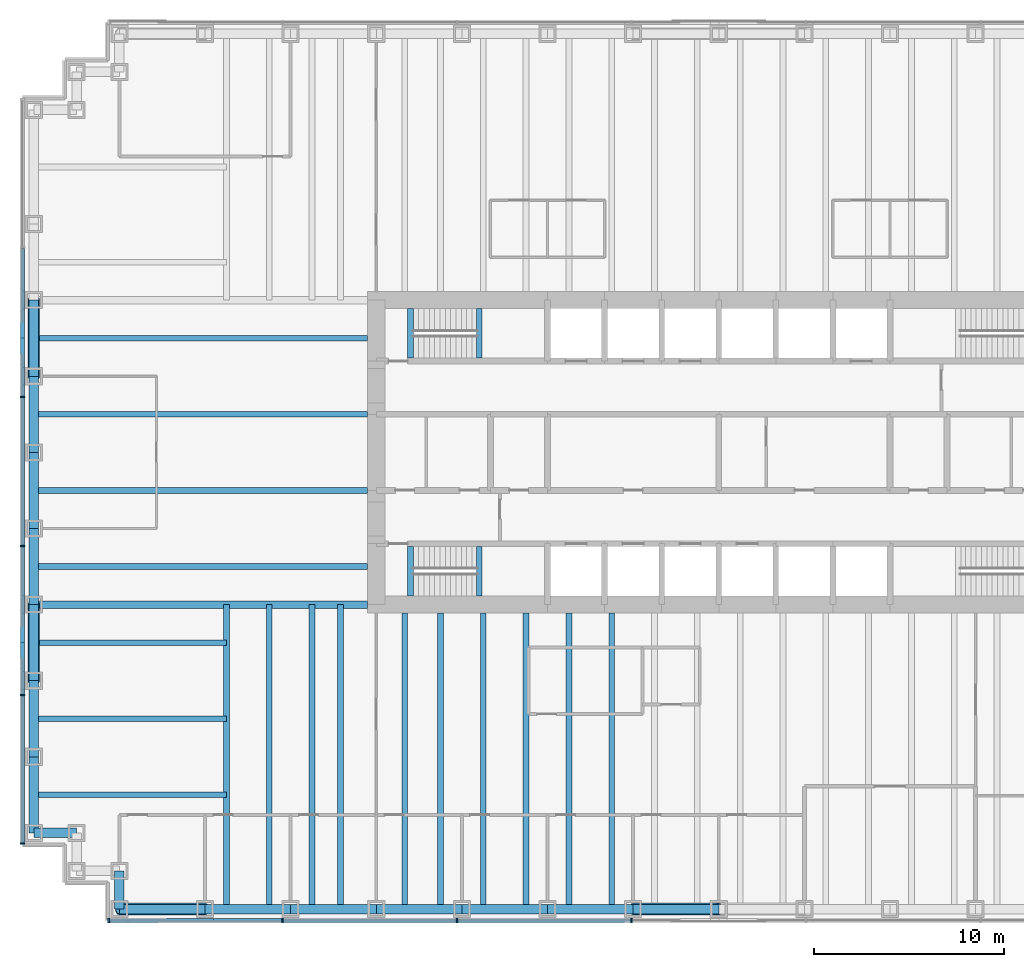
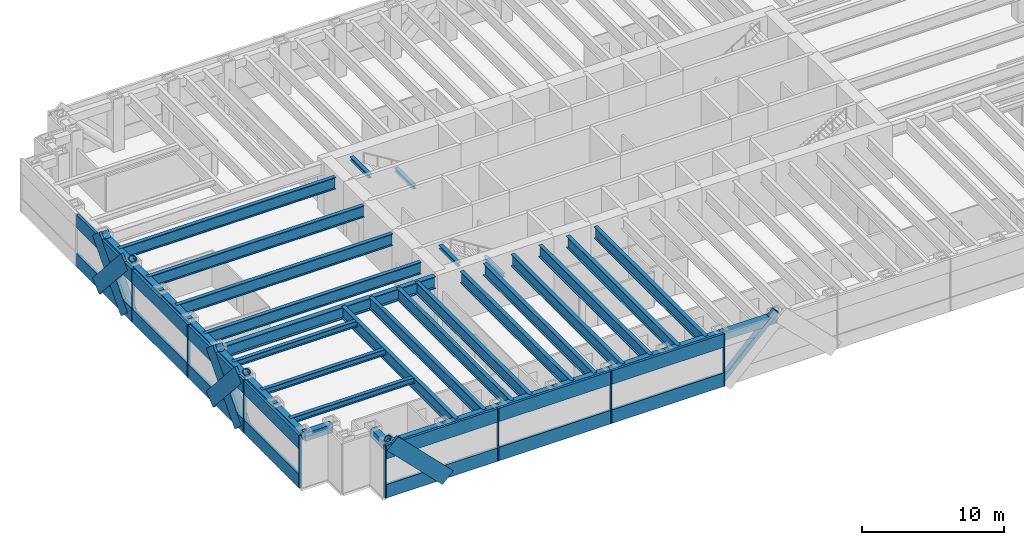
# One storey, part 2 of 13: 38 beams, 33 members, 2 elements without a shape of their own.
"""IFC4 building model written with IfcOpenShell, lengths in metres."""

from ifc_helpers import new_model, si_unit, direction, frame, origin, origin_2d, place, context, subcontext, project, spatial, rectangle, hollow_rectangle, hollow_circle, i_section, extrude, material, material_profile, profile_set, type_object, element, aggregate, save


model = new_model("IFC4")

# Units and contexts
model_context = context("Model", 3, precision=1e-05, world=origin(), true_north=direction((0.0, 1.0)))
body_context = subcontext(model_context, "Body", "Model", "MODEL_VIEW")
ifc_project = project(units=[si_unit("LENGTHUNIT", "METRE"), si_unit("AREAUNIT", "SQUARE_METRE"), si_unit("VOLUMEUNIT", "CUBIC_METRE"), si_unit("PLANEANGLEUNIT", "RADIAN"), si_unit("MASSUNIT", "GRAM", prefix="KILO")], contexts=[model_context])

# Site, building, storey
site_placement = place(None, origin())
site = spatial("IfcSite", under=ifc_project, at=site_placement, CompositionType="ELEMENT")
building_placement = place(site_placement, origin())
building = spatial("IfcBuilding", under=site, at=building_placement, Name="Rheinbord Bourse Tower", CompositionType="ELEMENT")
storey_placement = place(building_placement, frame((0.0, 0.0, 90.5)))
storey = spatial("IfcBuildingStorey", under=building, at=storey_placement, Name="L19", CompositionType="ELEMENT", Elevation=90.5)

# Beams
ifc_material_1 = material(Name="Steel S460M", Category="steel")
ifc_material_profile_1 = material_profile(ifc_material_1, hollow_rectangle(XDim=0.5, YDim=0.699951171875, WallThickness=0.0400390625, at=origin_2d()), Name="BOX 700x500x40")
ifc_profile_set_1 = profile_set([ifc_material_profile_1], Name="Steel S460M")
beam_type_1 = type_object("IfcBeamType", Name="BELT CHORD BOX 700x500x40", PredefinedType="SPANDREL", material=ifc_profile_set_1)
for number, where, z_axis, x_axis, name in (
    (1, (4.5, 0.0, 3.89990234375), (1.0, 0.0, 0.0), (0.0, 1.0, 0.0), "Spandrel SW-E-S-9 under L20"),
    (2, (9.0, 0.0, 3.89990234375), (1.0, 0.0, 0.0), (0.0, 1.0, 0.0), "Spandrel S-9-S-13.5 under L20"),
    (3, (13.5, 0.0, 3.89990234375), (1.0, 0.0, 0.0), (0.0, 1.0, 0.0), "Spandrel S-13.5-S-18 under L20"),
    (4, (18.0, 0.0, 3.89990234375), (1.0, 0.0, 0.0), (0.0, 1.0, 0.0), "Spandrel S-18-S-22.5 under L20"),
    (5, (22.5, 0.0, 3.89990234375), (1.0, 0.0, 0.0), (0.0, 1.0, 0.0), "Spandrel S-22.5-S-27 under L20"),
    (6, (27.0, 0.0, 3.89990234375), (1.0, 0.0, 0.0), (0.0, 1.0, 0.0), "Spandrel S-27-S-31.5 under L20"),
    (7, (31.5, 0.0, 3.89990234375), (1.0, 0.0, 0.0), (0.0, 1.0, 0.0), "Spandrel S-31.5-S-36 under L20"),
):
    element("IfcBeam", number, at=place(storey_placement, frame(where, z_axis=z_axis, x_axis=x_axis)), inside=storey, type_object=beam_type_1, Name=name, PredefinedType="SPANDREL", context=body_context, shape_type="SweptSolid", body=[
        extrude(hollow_rectangle(XDim=0.5, YDim=0.699951171875, WallThickness=0.0400390625, at=origin_2d()), origin(), (0.0, 0.0, 1.0), 4.5),
    ])
for number, where, z_axis, x_axis, name in (
    (8, (0.0, 32.0, 3.89990234375), (0.0, -1.0, 0.0), (1.0, 0.0, 0.0), "Spandrel W-32-W-28 under L20"),
    (9, (0.0, 28.0, 3.89990234375), (0.0, -1.0, 0.0), (1.0, 0.0, 0.0), "Spandrel W-28-W-24 under L20"),
    (10, (0.0, 24.0, 3.89990234375), (0.0, -1.0, 0.0), (1.0, 0.0, 0.0), "Spandrel W-24-W-20 under L20"),
    (11, (0.0, 20.0, 3.89990234375), (0.0, -1.0, 0.0), (1.0, 0.0, 0.0), "Spandrel W-20-W-16 under L20"),
    (12, (0.0, 16.0, 3.89990234375), (0.0, -1.0, 0.0), (1.0, 0.0, 0.0), "Spandrel W-16-W-12 under L20"),
    (13, (0.0, 12.0, 3.89990234375), (0.0, -1.0, 0.0), (1.0, 0.0, 0.0), "Spandrel W-12-W-8 under L20"),
    (14, (0.0, 8.0, 3.89990234375), (0.0, -1.0, 0.0), (1.0, 0.0, 0.0), "Spandrel W-8-SW-A under L20"),
):
    element("IfcBeam", number, at=place(storey_placement, frame(where, z_axis=z_axis, x_axis=x_axis)), inside=storey, type_object=beam_type_1, Name=name, PredefinedType="SPANDREL", context=body_context, shape_type="SweptSolid", body=[
        extrude(hollow_rectangle(XDim=0.5, YDim=0.699951171875, WallThickness=0.0400390625, at=origin_2d()), origin(), (0.0, 0.0, 1.0), 4.0),
    ])
beam_1_placement = place(storey_placement, frame((0.0, 4.0, 3.89990234375), z_axis=(1.0, 0.0, 0.0), x_axis=(0.0, 1.0, 0.0)))
element("IfcBeam", 15, at=beam_1_placement, inside=storey, type_object=beam_type_1, Name="Spandrel SW-A-SW-B under L20", PredefinedType="SPANDREL", context=body_context, shape_type="SweptSolid", body=[
    extrude(hollow_rectangle(XDim=0.5, YDim=0.699951171875, WallThickness=0.0400390625, at=origin_2d()), origin(), (0.0, 0.0, 1.0), 2.25),
])
beam_2_placement = place(storey_placement, frame((4.5, 2.0, 3.89990234375), z_axis=(0.0, -1.0, 0.0), x_axis=(1.0, 0.0, 0.0)))
element("IfcBeam", 16, at=beam_2_placement, inside=storey, type_object=beam_type_1, Name="Spandrel SW-D-SW-E under L20", PredefinedType="SPANDREL", context=body_context, shape_type="SweptSolid", body=[
    extrude(hollow_rectangle(XDim=0.5, YDim=0.699951171875, WallThickness=0.0400390625, at=origin_2d()), origin(), (0.0, 0.0, 1.0), 2.0),
])

# Curtain wall, member
ifc_material_2 = material(Name="Dark glass and black aluminium", Category="aluminium")
curtain_wall_type = type_object("IfcCurtainWallType", Name="CW5 DARK GLASS CURTAIN WALL", PredefinedType="USERDEFINED", material=ifc_material_2)
curtain_wall_1_placement = place(storey_placement, origin())
curtain_wall_1 = element("IfcCurtainWall", 17, at=curtain_wall_1_placement, inside=storey, type_object=curtain_wall_type, Name="Curtain wall CW5 S L19", ObjectType="UNITISED CURTAIN WALL", PredefinedType="USERDEFINED")
ifc_material_3 = material(Name="Black anodised aluminium", Category="aluminium")
ifc_material_profile_2 = material_profile(ifc_material_3, rectangle(XDim=0.199951171875, YDim=1.259033203125, at=origin_2d()), Name="CW5 DIAGONAL MULLION 1259x200")
ifc_profile_set_2 = profile_set([ifc_material_profile_2], Name="Black anodised aluminium")
member_type_1 = type_object("IfcMemberType", Name="CW5 BLACK DIAGONAL MULLION", PredefinedType="USERDEFINED", material=ifc_profile_set_2)
member_1_placement = place(storey_placement, frame((9.0, -0.60009765625, 0.0), z_axis=(-0.707106781187, 0.0, 0.707106781187), x_axis=(0.0, -1.0, 0.0)))
member_1 = element("IfcMember", 18, at=member_1_placement, type_object=member_type_1, Name="CW5 diagonal mullion c", ObjectType="DIAGONAL MULLION", PredefinedType="USERDEFINED", context=body_context, shape_type="SweptSolid", body=[
    extrude(rectangle(XDim=0.199951171875, YDim=1.259033203125, at=origin_2d()), origin(), (0.0, 0.0, 1.0), 6.364013671875),
])

# Curtain wall, members
curtain_wall_2_placement = place(storey_placement, origin())
curtain_wall_2 = element("IfcCurtainWall", 19, at=curtain_wall_2_placement, inside=storey, type_object=curtain_wall_type, Name="Curtain wall CW5 W L19", ObjectType="UNITISED CURTAIN WALL", PredefinedType="USERDEFINED")
member_2_placement = place(storey_placement, frame((-0.60009765625, 12.0, 0.0), z_axis=(0.0, 0.66436383883, 0.747409318684), x_axis=(-1.0, 0.0, 0.0)))
member_2 = element("IfcMember", 20, at=member_2_placement, type_object=member_type_1, Name="CW5 diagonal mullion a", ObjectType="DIAGONAL MULLION", PredefinedType="USERDEFINED", context=body_context, shape_type="SweptSolid", body=[
    extrude(rectangle(XDim=0.199951171875, YDim=1.259033203125, at=origin_2d()), origin(), (0.0, 0.0, 1.0), 6.020751953125),
])
member_3_placement = place(storey_placement, frame((-0.60009765625, 32.0, 0.0), z_axis=(0.0, -0.66436383883, 0.747409318684), x_axis=(1.0, 0.0, 0.0)))
member_3 = element("IfcMember", 21, at=member_3_placement, type_object=member_type_1, Name="CW5 diagonal mullion b", ObjectType="DIAGONAL MULLION", PredefinedType="USERDEFINED", context=body_context, shape_type="SweptSolid", body=[
    extrude(rectangle(XDim=0.199951171875, YDim=1.259033203125, at=origin_2d()), origin(), (0.0, 0.0, 1.0), 6.020751953125),
])
member_4_placement = place(storey_placement, frame((-0.60009765625, 28.0, 0.0), z_axis=(0.0, 0.66436383883, 0.747409318684), x_axis=(-1.0, 0.0, 0.0)))
member_4 = element("IfcMember", 22, at=member_4_placement, type_object=member_type_1, Name="CW5 diagonal mullion c", ObjectType="DIAGONAL MULLION", PredefinedType="USERDEFINED", context=body_context, shape_type="SweptSolid", body=[
    extrude(rectangle(XDim=0.199951171875, YDim=1.259033203125, at=origin_2d()), origin(), (0.0, 0.0, 1.0), 6.020751953125),
])
member_5_placement = place(storey_placement, frame((-0.60009765625, 16.0, 0.0), z_axis=(0.0, -0.66436383883, 0.747409318684), x_axis=(1.0, 0.0, 0.0)))
member_5 = element("IfcMember", 23, at=member_5_placement, type_object=member_type_1, Name="CW5 diagonal mullion d", ObjectType="DIAGONAL MULLION", PredefinedType="USERDEFINED", context=body_context, shape_type="SweptSolid", body=[
    extrude(rectangle(XDim=0.199951171875, YDim=1.259033203125, at=origin_2d()), origin(), (0.0, 0.0, 1.0), 6.020751953125),
])

# Member
ifc_material_4 = material(Name="Black anodised aluminium", Category="aluminium")
ifc_material_profile_3 = material_profile(ifc_material_4, rectangle(XDim=0.25, YDim=0.080078125, at=origin_2d()), Name="CW5 MULLION 80x250")
ifc_profile_set_3 = profile_set([ifc_material_profile_3], Name="Black anodised aluminium")
member_type_2 = type_object("IfcMemberType", Name="CW5 BLACK MULLION", PredefinedType="MULLION", material=ifc_profile_set_3)
member_6_placement = place(storey_placement, frame((3.93994140625, -0.60009765625, 0.0), z_axis=(0.0, 0.0, 1.0), x_axis=(0.0, 1.0, 0.0)))
member_6 = element("IfcMember", 24, at=member_6_placement, type_object=member_type_2, Name="CW5 mullion 1", PredefinedType="MULLION", context=body_context, shape_type="SweptSolid", body=[
    extrude(rectangle(XDim=0.25, YDim=0.080078125, at=origin_2d()), origin(), (0.0, 0.0, 1.0), 4.5),
])

member_7_placement = place(storey_placement, frame((13.071533203125, -0.60009765625, 0.0), z_axis=(0.0, 0.0, 1.0), x_axis=(0.0, 1.0, 0.0)))
member_7 = element("IfcMember", 25, at=member_7_placement, type_object=member_type_2, Name="CW5 mullion 2", PredefinedType="MULLION", context=body_context, shape_type="SweptSolid", body=[
    extrude(rectangle(XDim=0.25, YDim=0.080078125, at=origin_2d()), origin(), (0.0, 0.0, 1.0), 4.5),
])

member_8_placement = place(storey_placement, frame((22.242919921875, -0.60009765625, 0.0), z_axis=(0.0, 0.0, 1.0), x_axis=(0.0, 1.0, 0.0)))
member_8 = element("IfcMember", 26, at=member_8_placement, type_object=member_type_2, Name="CW5 mullion 3", PredefinedType="MULLION", context=body_context, shape_type="SweptSolid", body=[
    extrude(rectangle(XDim=0.25, YDim=0.080078125, at=origin_2d()), origin(), (0.0, 0.0, 1.0), 4.5),
])

member_9_placement = place(storey_placement, frame((31.414306640625, -0.60009765625, 0.0), z_axis=(0.0, 0.0, 1.0), x_axis=(0.0, 1.0, 0.0)))
member_9 = element("IfcMember", 27, at=member_9_placement, type_object=member_type_2, Name="CW5 mullion 4", PredefinedType="MULLION", context=body_context, shape_type="SweptSolid", body=[
    extrude(rectangle(XDim=0.25, YDim=0.080078125, at=origin_2d()), origin(), (0.0, 0.0, 1.0), 4.5),
])

member_10_placement = place(storey_placement, frame((-0.60009765625, 26.919921875, 0.0), z_axis=(0.0, 0.0, 1.0), x_axis=(1.0, 0.0, 0.0)))
member_10 = element("IfcMember", 28, at=member_10_placement, type_object=member_type_2, Name="CW5 mullion 3", PredefinedType="MULLION", context=body_context, shape_type="SweptSolid", body=[
    extrude(rectangle(XDim=0.25, YDim=0.080078125, at=origin_2d()), origin(), (0.0, 0.0, 1.0), 4.5),
])

member_11_placement = place(storey_placement, frame((-0.60009765625, 19.080078125, 0.0), z_axis=(0.0, 0.0, 1.0), x_axis=(1.0, 0.0, 0.0)))
member_11 = element("IfcMember", 29, at=member_11_placement, type_object=member_type_2, Name="CW5 mullion 4", PredefinedType="MULLION", context=body_context, shape_type="SweptSolid", body=[
    extrude(rectangle(XDim=0.25, YDim=0.080078125, at=origin_2d()), origin(), (0.0, 0.0, 1.0), 4.5),
])

member_12_placement = place(storey_placement, frame((-0.60009765625, 11.239990234375, 0.0), z_axis=(0.0, 0.0, 1.0), x_axis=(1.0, 0.0, 0.0)))
member_12 = element("IfcMember", 30, at=member_12_placement, type_object=member_type_2, Name="CW5 mullion 5", PredefinedType="MULLION", context=body_context, shape_type="SweptSolid", body=[
    extrude(rectangle(XDim=0.25, YDim=0.080078125, at=origin_2d()), origin(), (0.0, 0.0, 1.0), 4.5),
])

member_13_placement = place(storey_placement, frame((-0.60009765625, 3.43994140625, 0.0), z_axis=(0.0, 0.0, 1.0), x_axis=(1.0, 0.0, 0.0)))
member_13 = element("IfcMember", 31, at=member_13_placement, type_object=member_type_2, Name="CW5 mullion 6", PredefinedType="MULLION", context=body_context, shape_type="SweptSolid", body=[
    extrude(rectangle(XDim=0.25, YDim=0.080078125, at=origin_2d()), origin(), (0.0, 0.0, 1.0), 4.5),
])

ifc_material_5 = material(Name="Black anodised aluminium", Category="aluminium")
ifc_material_profile_4 = material_profile(ifc_material_5, rectangle(XDim=0.199951171875, YDim=1.14990234375, at=origin_2d()), Name="CW5 TRANSOM 1150x200")
ifc_profile_set_4 = profile_set([ifc_material_profile_4], Name="Black anodised aluminium")
member_type_3 = type_object("IfcMemberType", Name="CW5 BLACK TRANSOM", PredefinedType="USERDEFINED", material=ifc_profile_set_4)
member_14_placement = place(storey_placement, frame((3.97998046875, -0.60009765625, 0.574951171875), z_axis=(1.0, 0.0, 0.0), x_axis=(0.0, 1.0, 0.0)))
member_14 = element("IfcMember", 32, at=member_14_placement, type_object=member_type_3, Name="CW5 transom 1.1", ObjectType="TRANSOM", PredefinedType="USERDEFINED", context=body_context, shape_type="SweptSolid", body=[
    extrude(rectangle(XDim=0.199951171875, YDim=1.14990234375, at=origin_2d()), origin(), (0.0, 0.0, 1.0), 9.051513671875),
])

member_15_placement = place(storey_placement, frame((3.97998046875, -0.60009765625, 3.925048828125), z_axis=(1.0, 0.0, 0.0), x_axis=(0.0, 1.0, 0.0)))
member_15 = element("IfcMember", 33, at=member_15_placement, type_object=member_type_3, Name="CW5 transom 1.2", ObjectType="TRANSOM", PredefinedType="USERDEFINED", context=body_context, shape_type="SweptSolid", body=[
    extrude(rectangle(XDim=0.199951171875, YDim=1.14990234375, at=origin_2d()), origin(), (0.0, 0.0, 1.0), 9.051513671875),
])

member_16_placement = place(storey_placement, frame((13.111328125, -0.60009765625, 0.574951171875), z_axis=(1.0, 0.0, 0.0), x_axis=(0.0, 1.0, 0.0)))
member_16 = element("IfcMember", 34, at=member_16_placement, type_object=member_type_3, Name="CW5 transom 2.1", ObjectType="TRANSOM", PredefinedType="USERDEFINED", context=body_context, shape_type="SweptSolid", body=[
    extrude(rectangle(XDim=0.199951171875, YDim=1.14990234375, at=origin_2d()), origin(), (0.0, 0.0, 1.0), 9.091552734375),
])

member_17_placement = place(storey_placement, frame((13.111328125, -0.60009765625, 3.925048828125), z_axis=(1.0, 0.0, 0.0), x_axis=(0.0, 1.0, 0.0)))
member_17 = element("IfcMember", 35, at=member_17_placement, type_object=member_type_3, Name="CW5 transom 2.2", ObjectType="TRANSOM", PredefinedType="USERDEFINED", context=body_context, shape_type="SweptSolid", body=[
    extrude(rectangle(XDim=0.199951171875, YDim=1.14990234375, at=origin_2d()), origin(), (0.0, 0.0, 1.0), 9.091552734375),
])

member_18_placement = place(storey_placement, frame((22.282958984375, -0.60009765625, 0.574951171875), z_axis=(1.0, 0.0, 0.0), x_axis=(0.0, 1.0, 0.0)))
member_18 = element("IfcMember", 36, at=member_18_placement, type_object=member_type_3, Name="CW5 transom 3.1", ObjectType="TRANSOM", PredefinedType="USERDEFINED", context=body_context, shape_type="SweptSolid", body=[
    extrude(rectangle(XDim=0.199951171875, YDim=1.14990234375, at=origin_2d()), origin(), (0.0, 0.0, 1.0), 9.09130859375),
])

member_19_placement = place(storey_placement, frame((22.282958984375, -0.60009765625, 3.925048828125), z_axis=(1.0, 0.0, 0.0), x_axis=(0.0, 1.0, 0.0)))
member_19 = element("IfcMember", 37, at=member_19_placement, type_object=member_type_3, Name="CW5 transom 3.2", ObjectType="TRANSOM", PredefinedType="USERDEFINED", context=body_context, shape_type="SweptSolid", body=[
    extrude(rectangle(XDim=0.199951171875, YDim=1.14990234375, at=origin_2d()), origin(), (0.0, 0.0, 1.0), 9.09130859375),
])

aggregate(curtain_wall_1, [member_6, member_7, member_8, member_9, member_14, member_15, member_16, member_17, member_18, member_19, member_1])

member_20_placement = place(storey_placement, frame((-0.60009765625, 34.719970703125, 0.574951171875), z_axis=(0.0, -1.0, 0.0), x_axis=(1.0, 0.0, 0.0)))
member_20 = element("IfcMember", 38, at=member_20_placement, type_object=member_type_3, Name="CW5 transom 2.1", ObjectType="TRANSOM", PredefinedType="USERDEFINED", context=body_context, shape_type="SweptSolid", body=[
    extrude(rectangle(XDim=0.199951171875, YDim=1.14990234375, at=origin_2d()), origin(), (0.0, 0.0, 1.0), 7.760009765625),
])

member_21_placement = place(storey_placement, frame((-0.60009765625, 34.719970703125, 3.925048828125), z_axis=(0.0, -1.0, 0.0), x_axis=(1.0, 0.0, 0.0)))
member_21 = element("IfcMember", 39, at=member_21_placement, type_object=member_type_3, Name="CW5 transom 2.2", ObjectType="TRANSOM", PredefinedType="USERDEFINED", context=body_context, shape_type="SweptSolid", body=[
    extrude(rectangle(XDim=0.199951171875, YDim=1.14990234375, at=origin_2d()), origin(), (0.0, 0.0, 1.0), 7.760009765625),
])

member_22_placement = place(storey_placement, frame((-0.60009765625, 26.8798828125, 0.574951171875), z_axis=(0.0, -1.0, 0.0), x_axis=(1.0, 0.0, 0.0)))
member_22 = element("IfcMember", 40, at=member_22_placement, type_object=member_type_3, Name="CW5 transom 3.1", ObjectType="TRANSOM", PredefinedType="USERDEFINED", context=body_context, shape_type="SweptSolid", body=[
    extrude(rectangle(XDim=0.199951171875, YDim=1.14990234375, at=origin_2d()), origin(), (0.0, 0.0, 1.0), 7.759765625),
])

member_23_placement = place(storey_placement, frame((-0.60009765625, 26.8798828125, 3.925048828125), z_axis=(0.0, -1.0, 0.0), x_axis=(1.0, 0.0, 0.0)))
member_23 = element("IfcMember", 41, at=member_23_placement, type_object=member_type_3, Name="CW5 transom 3.2", ObjectType="TRANSOM", PredefinedType="USERDEFINED", context=body_context, shape_type="SweptSolid", body=[
    extrude(rectangle(XDim=0.199951171875, YDim=1.14990234375, at=origin_2d()), origin(), (0.0, 0.0, 1.0), 7.759765625),
])

member_24_placement = place(storey_placement, frame((-0.60009765625, 19.0400390625, 0.574951171875), z_axis=(0.0, -1.0, 0.0), x_axis=(1.0, 0.0, 0.0)))
member_24 = element("IfcMember", 42, at=member_24_placement, type_object=member_type_3, Name="CW5 transom 4.1", ObjectType="TRANSOM", PredefinedType="USERDEFINED", context=body_context, shape_type="SweptSolid", body=[
    extrude(rectangle(XDim=0.199951171875, YDim=1.14990234375, at=origin_2d()), origin(), (0.0, 0.0, 1.0), 7.760009765625),
])

member_25_placement = place(storey_placement, frame((-0.60009765625, 19.0400390625, 3.925048828125), z_axis=(0.0, -1.0, 0.0), x_axis=(1.0, 0.0, 0.0)))
member_25 = element("IfcMember", 43, at=member_25_placement, type_object=member_type_3, Name="CW5 transom 4.2", ObjectType="TRANSOM", PredefinedType="USERDEFINED", context=body_context, shape_type="SweptSolid", body=[
    extrude(rectangle(XDim=0.199951171875, YDim=1.14990234375, at=origin_2d()), origin(), (0.0, 0.0, 1.0), 7.760009765625),
])

member_26_placement = place(storey_placement, frame((-0.60009765625, 11.199951171875, 0.574951171875), z_axis=(0.0, -1.0, 0.0), x_axis=(1.0, 0.0, 0.0)))
member_26 = element("IfcMember", 44, at=member_26_placement, type_object=member_type_3, Name="CW5 transom 5.1", ObjectType="TRANSOM", PredefinedType="USERDEFINED", context=body_context, shape_type="SweptSolid", body=[
    extrude(rectangle(XDim=0.199951171875, YDim=1.14990234375, at=origin_2d()), origin(), (0.0, 0.0, 1.0), 7.719970703125),
])

member_27_placement = place(storey_placement, frame((-0.60009765625, 11.199951171875, 3.925048828125), z_axis=(0.0, -1.0, 0.0), x_axis=(1.0, 0.0, 0.0)))
member_27 = element("IfcMember", 45, at=member_27_placement, type_object=member_type_3, Name="CW5 transom 5.2", ObjectType="TRANSOM", PredefinedType="USERDEFINED", context=body_context, shape_type="SweptSolid", body=[
    extrude(rectangle(XDim=0.199951171875, YDim=1.14990234375, at=origin_2d()), origin(), (0.0, 0.0, 1.0), 7.719970703125),
])

aggregate(curtain_wall_2, [member_10, member_11, member_12, member_13, member_20, member_21, member_22, member_23, member_24, member_25, member_26, member_27, member_2, member_3, member_4, member_5])

# Beams
ifc_material_6 = material(Name="Steel S460", Category="steel")
ifc_material_profile_5 = material_profile(ifc_material_6, i_section(OverallWidth=0.302001953125, OverallDepth=1.008056640625, WebThickness=0.02099609375, FlangeThickness=0.0400390625, at=origin_2d()), Name="HEM 1000")
ifc_profile_set_5 = profile_set([ifc_material_profile_5], Name="Steel S460")
beam_type_2 = type_object("IfcBeamType", Name="END BEAM HEM 1000", PredefinedType="BEAM", material=ifc_profile_set_5)
for number, where, z_axis, x_axis, name in (
    (46, (0.0, 18.0, 3.74609375), (1.0, 0.0, 0.0), (0.0, 1.0, 0.0), "End beam west 18 L20"),
    (47, (0.0, 22.0, 3.74609375), (1.0, 0.0, 0.0), (0.0, 1.0, 0.0), "End beam west 22 L20"),
    (48, (0.0, 26.0, 3.74609375), (1.0, 0.0, 0.0), (0.0, 1.0, 0.0), "End beam west 26 L20"),
    (49, (0.0, 30.0, 3.74609375), (1.0, 0.0, 0.0), (0.0, 1.0, 0.0), "End beam west 30 L20"),
):
    element("IfcBeam", number, at=place(storey_placement, frame(where, z_axis=z_axis, x_axis=x_axis)), inside=storey, type_object=beam_type_2, Name=name, PredefinedType="BEAM", context=body_context, shape_type="SweptSolid", body=[
        extrude(i_section(OverallWidth=0.302001953125, OverallDepth=1.008056640625, WebThickness=0.02099609375, FlangeThickness=0.0400390625, at=origin_2d()), origin(), (0.0, 0.0, 1.0), 17.550048828125),
    ])
ifc_material_7 = material(Name="Steel S460", Category="steel")
ifc_material_profile_6 = material_profile(ifc_material_7, i_section(OverallWidth=0.302001953125, OverallDepth=1.008056640625, WebThickness=0.02099609375, FlangeThickness=0.0400390625, at=origin_2d()), Name="HEM 1000")
ifc_profile_set_6 = profile_set([ifc_material_profile_6], Name="Steel S460")
beam_type_3 = type_object("IfcBeamType", Name="FLOOR BEAM HEM 1000", PredefinedType="BEAM", material=ifc_profile_set_6)
for number, where, z_axis, x_axis, name in (
    (50, (10.125, 0.0, 3.74609375), (0.0, 1.0, 0.0), (-1.0, 0.0, 0.0), "Floor beam S-9a L20"),
    (51, (12.375, 0.0, 3.74609375), (0.0, 1.0, 0.0), (-1.0, 0.0, 0.0), "Floor beam S-9b L20"),
    (52, (14.625, 0.0, 3.74609375), (0.0, 1.0, 0.0), (-1.0, 0.0, 0.0), "Floor beam S-13.5a L20"),
    (53, (16.125, 0.0, 3.74609375), (0.0, 1.0, 0.0), (-1.0, 0.0, 0.0), "Floor beam S-13.5b L20"),
):
    element("IfcBeam", number, at=place(storey_placement, frame(where, z_axis=z_axis, x_axis=x_axis)), inside=storey, type_object=beam_type_3, Name=name, PredefinedType="BEAM", context=body_context, shape_type="SweptSolid", body=[
        extrude(i_section(OverallWidth=0.302001953125, OverallDepth=1.008056640625, WebThickness=0.02099609375, FlangeThickness=0.0400390625, at=origin_2d()), origin(), (0.0, 0.0, 1.0), 16.0),
    ])
for number, where, z_axis, x_axis, name in (
    (54, (19.5, 0.0, 3.74609375), (0.0, 1.0, 0.0), (-1.0, 0.0, 0.0), "Floor beam S-18a L20"),
    (55, (21.375, 0.0, 3.74609375), (0.0, 1.0, 0.0), (-1.0, 0.0, 0.0), "Floor beam S-18b L20"),
    (56, (23.625, 0.0, 3.74609375), (0.0, 1.0, 0.0), (-1.0, 0.0, 0.0), "Floor beam S-22.5a L20"),
    (57, (25.875, 0.0, 3.74609375), (0.0, 1.0, 0.0), (-1.0, 0.0, 0.0), "Floor beam S-22.5b L20"),
    (58, (28.125, 0.0, 3.74609375), (0.0, 1.0, 0.0), (-1.0, 0.0, 0.0), "Floor beam S-27a L20"),
    (59, (30.375, 0.0, 3.74609375), (0.0, 1.0, 0.0), (-1.0, 0.0, 0.0), "Floor beam S-27b L20"),
):
    element("IfcBeam", number, at=place(storey_placement, frame(where, z_axis=z_axis, x_axis=x_axis)), inside=storey, type_object=beam_type_3, Name=name, PredefinedType="BEAM", context=body_context, shape_type="SweptSolid", body=[
        extrude(i_section(OverallWidth=0.302001953125, OverallDepth=1.008056640625, WebThickness=0.02099609375, FlangeThickness=0.0400390625, at=origin_2d()), origin(), (0.0, 0.0, 1.0), 15.550048828125),
    ])
ifc_material_8 = material(Name="Steel S460", Category="steel")
ifc_material_profile_7 = material_profile(ifc_material_8, i_section(OverallWidth=0.404052734375, OverallDepth=1.02001953125, WebThickness=0.025390625, FlangeThickness=0.0458984375, at=origin_2d()), Name="HL 1000 x 483")
ifc_profile_set_7 = profile_set([ifc_material_profile_7], Name="Steel S460")
beam_type_4 = type_object("IfcBeamType", Name="GIRDER HL 1000 x 483", PredefinedType="BEAM", material=ifc_profile_set_7)
beam_3_placement = place(storey_placement, frame((0.0, 16.0, 3.739990234375), z_axis=(1.0, 0.0, 0.0), x_axis=(0.0, 1.0, 0.0)))
element("IfcBeam", 60, at=beam_3_placement, inside=storey, type_object=beam_type_4, Name="Girder west 16 L20", PredefinedType="BEAM", context=body_context, shape_type="SweptSolid", body=[
    extrude(i_section(OverallWidth=0.404052734375, OverallDepth=1.02001953125, WebThickness=0.025390625, FlangeThickness=0.0458984375, at=origin_2d()), origin(), (0.0, 0.0, 1.0), 17.550048828125),
])
ifc_material_9 = material(Name="Steel S460", Category="steel")
ifc_material_profile_8 = material_profile(ifc_material_9, i_section(OverallWidth=0.300048828125, OverallDepth=0.300048828125, WebThickness=0.010986328125, FlangeThickness=0.01904296875, at=origin_2d()), Name="HEB 300")
ifc_profile_set_8 = profile_set([ifc_material_profile_8], Name="Steel S460")
beam_type_5 = type_object("IfcBeamType", Name="LANDING TRIMMER HEB 300", PredefinedType="BEAM", material=ifc_profile_set_8)
for number, where, z_axis, x_axis, name in (
    (61, (23.409912109375, 16.449951171875, 1.89990234375), (0.0, 1.0, 0.0), (-1.0, 0.0, 0.0), "Landing trimmer ST1 L19"),
    (62, (19.800048828125, 16.449951171875, 4.10009765625), (0.0, 1.0, 0.0), (-1.0, 0.0, 0.0), "Well trimmer ST1 under L20"),
    (63, (23.409912109375, 28.949951171875, 1.89990234375), (0.0, 1.0, 0.0), (-1.0, 0.0, 0.0), "Landing trimmer ST2 L19"),
    (64, (19.800048828125, 28.949951171875, 4.10009765625), (0.0, 1.0, 0.0), (-1.0, 0.0, 0.0), "Well trimmer ST2 under L20"),
):
    element("IfcBeam", number, at=place(storey_placement, frame(where, z_axis=z_axis, x_axis=x_axis)), inside=storey, type_object=beam_type_5, Name=name, PredefinedType="BEAM", context=body_context, shape_type="SweptSolid", body=[
        extrude(i_section(OverallWidth=0.300048828125, OverallDepth=0.300048828125, WebThickness=0.010986328125, FlangeThickness=0.01904296875, at=origin_2d()), origin(), (0.0, 0.0, 1.0), 2.60009765625),
    ])

# Members
ifc_material_10 = material(Name="Steel S460", Category="steel")
ifc_material_profile_9 = material_profile(ifc_material_10, hollow_circle(Radius=0.304931640625, WallThickness=0.050048828125, at=origin_2d()), Name="CHS 610x50")
ifc_profile_set_9 = profile_set([ifc_material_profile_9], Name="Steel S460")
member_type_4 = type_object("IfcMemberType", Name="MEGABRACE CHS 610x50", PredefinedType="BRACE", material=ifc_profile_set_9)
for number, where, z_axis, x_axis, name in (
    (65, (31.5, 0.0, 0.0), (0.707106781187, 0.0, 0.707106781187), (0.0, 1.0, 0.0), "Megabrace S face line b L19"),
    (66, (9.0, 0.0, 0.0), (-0.707106781187, 0.0, 0.707106781187), (0.0, -1.0, 0.0), "Megabrace S face line c L19"),
):
    element("IfcMember", number, at=place(storey_placement, frame(where, z_axis=z_axis, x_axis=x_axis)), inside=storey, type_object=member_type_4, Name=name, PredefinedType="BRACE", context=body_context, shape_type="SweptSolid", body=[
        extrude(hollow_circle(Radius=0.304931640625, WallThickness=0.050048828125, at=origin_2d()), origin(), (0.0, 0.0, 1.0), 6.364013671875),
    ])
for number, where, z_axis, x_axis, name in (
    (67, (0.0, 12.0, 0.0), (0.0, 0.66436383883, 0.747409318684), (-1.0, 0.0, 0.0), "Megabrace W face line a L19"),
    (68, (0.0, 32.0, 0.0), (0.0, -0.66436383883, 0.747409318684), (1.0, 0.0, 0.0), "Megabrace W face line b L19"),
    (69, (0.0, 28.0, 0.0), (0.0, 0.66436383883, 0.747409318684), (-1.0, 0.0, 0.0), "Megabrace W face line c L19"),
    (70, (0.0, 16.0, 0.0), (0.0, -0.66436383883, 0.747409318684), (1.0, 0.0, 0.0), "Megabrace W face line d L19"),
):
    element("IfcMember", number, at=place(storey_placement, frame(where, z_axis=z_axis, x_axis=x_axis)), inside=storey, type_object=member_type_4, Name=name, PredefinedType="BRACE", context=body_context, shape_type="SweptSolid", body=[
        extrude(hollow_circle(Radius=0.304931640625, WallThickness=0.050048828125, at=origin_2d()), origin(), (0.0, 0.0, 1.0), 6.020751953125),
    ])

# Beams
ifc_material_11 = material(Name="Steel S460", Category="steel")
ifc_material_profile_10 = material_profile(ifc_material_11, i_section(OverallWidth=0.300048828125, OverallDepth=0.5, WebThickness=0.014404296875, FlangeThickness=0.028076171875, at=origin_2d()), Name="HEB 500")
ifc_profile_set_10 = profile_set([ifc_material_profile_10], Name="Steel S460")
beam_type_6 = type_object("IfcBeamType", Name="TIE BEAM HEB 500", PredefinedType="JOIST", material=ifc_profile_set_10)
for number, where, z_axis, x_axis, name in (
    (71, (0.0, 6.0, 4.0), (1.0, 0.0, 0.0), (0.0, 1.0, 0.0), "Tie west 6 L20"),
    (72, (0.0, 10.0, 4.0), (1.0, 0.0, 0.0), (0.0, 1.0, 0.0), "Tie west 10 L20"),
    (73, (0.0, 14.0, 4.0), (1.0, 0.0, 0.0), (0.0, 1.0, 0.0), "Tie west 14 L20"),
):
    element("IfcBeam", number, at=place(storey_placement, frame(where, z_axis=z_axis, x_axis=x_axis)), inside=storey, type_object=beam_type_6, Name=name, PredefinedType="JOIST", context=body_context, shape_type="SweptSolid", body=[
        extrude(i_section(OverallWidth=0.300048828125, OverallDepth=0.5, WebThickness=0.014404296875, FlangeThickness=0.028076171875, at=origin_2d()), origin(), (0.0, 0.0, 1.0), 10.125),
    ])

save(model, "model.ifc")
